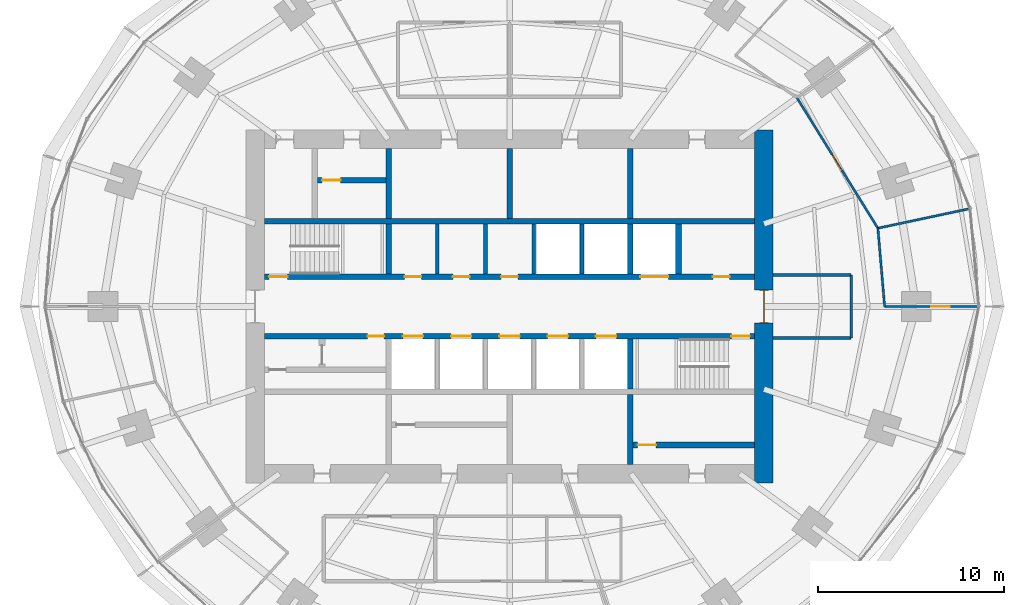
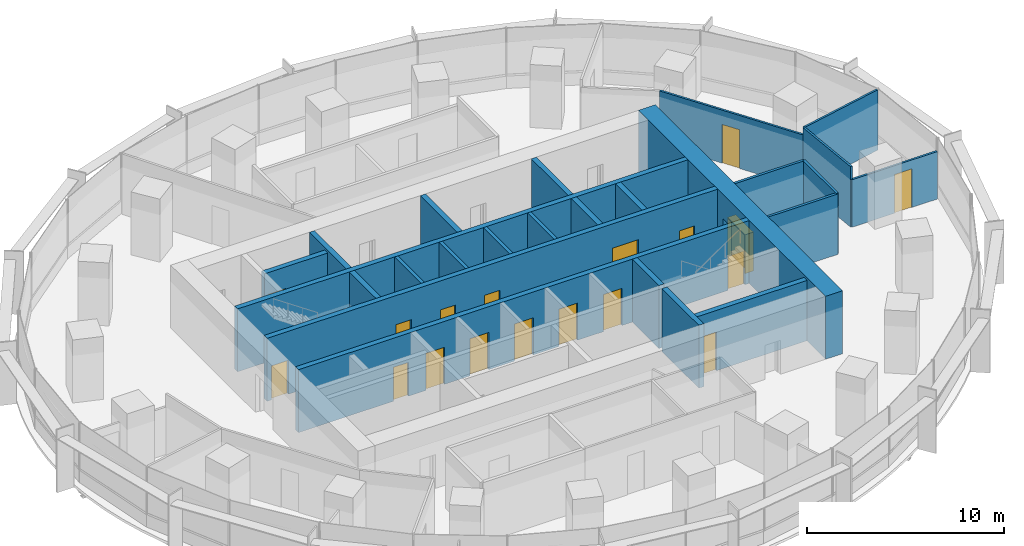
# One storey, part 11 of 14: 25 walls, 18 doors, 18 openings.
"""IFC4 building model written with IfcOpenShell, lengths in metres."""

from ifc_helpers import new_model, si_unit, direction, frame, frame_2d, origin, place, context, subcontext, project, spatial, rectangle, extrude, material, layer, layer_set, type_object, element, fill, save


model = new_model("IFC4")

# Units and contexts
model_context = context("Model", 3, precision=1e-05, world=origin(), true_north=direction((0.0, 1.0)))
body_context = subcontext(model_context, "Body", "Model", "MODEL_VIEW")
ifc_project = project(units=[si_unit("LENGTHUNIT", "METRE"), si_unit("AREAUNIT", "SQUARE_METRE"), si_unit("VOLUMEUNIT", "CUBIC_METRE"), si_unit("PLANEANGLEUNIT", "RADIAN"), si_unit("MASSUNIT", "GRAM", prefix="KILO")], contexts=[model_context])

# Site, building, storey
site_placement = place(None, origin())
site = spatial("IfcSite", under=ifc_project, at=site_placement, CompositionType="ELEMENT")
building_placement = place(site_placement, origin())
building = spatial("IfcBuilding", under=site, at=building_placement, Name="Marramba Exchange Tower", CompositionType="ELEMENT")
storey_placement = place(building_placement, frame((0.0, 0.0, 96.300048828125)))
storey = spatial("IfcBuildingStorey", under=building, at=storey_placement, Name="L22", CompositionType="ELEMENT", Elevation=96.300048828125)

# Walls
ifc_material_1 = material(Name="Concrete N50", Category="concrete")
ifc_layer_1 = layer(ifc_material_1, 0.199951171875)
ifc_layer_set_1 = layer_set([ifc_layer_1], Name="Core shaft wall 200")
wall_type_1 = type_object("IfcWallType", Name="Core shaft wall 200", PredefinedType="SHEAR", material=ifc_layer_set_1)
for number, where, z_axis, x_axis, name in (
    (1, (-3.89990234375, 1.75, 0.0), (0.0, 0.0, 1.0), (0.0, 1.0, 0.0), "Core wall SHN1 L22"),
    (2, (-1.300048828125, 1.75, 0.0), (0.0, 0.0, 1.0), (0.0, 1.0, 0.0), "Core wall SHN2 L22"),
    (3, (1.300048828125, 1.75, 0.0), (0.0, 0.0, 1.0), (0.0, 1.0, 0.0), "Core wall SHN3 L22"),
    (4, (3.89990234375, 1.75, 0.0), (0.0, 0.0, 1.0), (0.0, 1.0, 0.0), "Core wall SHN4 L22"),
):
    element("IfcWall", number, at=place(storey_placement, frame(where, z_axis=z_axis, x_axis=x_axis)), inside=storey, type_object=wall_type_1, Name=name, PredefinedType="SHEAR", context=body_context, shape_type="SweptSolid", body=[
        extrude(rectangle(XDim=2.699951171875, YDim=0.199951171875, at=frame_2d((1.35009765625, 0.0))), origin(), (0.0, 0.0, 1.0), 3.89990234375),
    ])

# Wall, opening, door
ifc_layer_2 = layer(ifc_material_1, 1.0)
ifc_layer_set_2 = layer_set([ifc_layer_2], Name="Core wall 1000")
wall_type_2 = type_object("IfcWallType", Name="Core wall 1000", PredefinedType="SHEAR", material=ifc_layer_set_2)
wall_1_placement = place(storey_placement, frame((13.699951171875, -9.5, 0.0), z_axis=(0.0, 0.0, 1.0), x_axis=(0.0, 1.0, 0.0)))
wall_1 = element("IfcWall", 5, at=wall_1_placement, inside=storey, type_object=wall_type_2, Name="Core wall E L22", PredefinedType="SHEAR", context=body_context, shape_type="SweptSolid", body=[
    extrude(rectangle(XDim=19.0, YDim=1.0, at=frame_2d((9.5, 0.0))), origin(), (0.0, 0.0, 1.0), 3.89990234375),
])
opening_1_placement = place(wall_1_placement, frame((8.60009765625, 0.0, 0.0)))
opening_1 = element("IfcOpeningElement", 6, at=opening_1_placement, cuts=wall_1, Name="Opening D1", PredefinedType="OPENING", context=body_context, shape_type="SweptSolid", body=[
    extrude(rectangle(XDim=1.800048828125, YDim=2.39990234375, at=frame_2d((0.89990234375, 1.199951171875))), frame((0.0, 0.510009765625, 0.0), z_axis=(0.0, -1.0, 0.0), x_axis=(1.0, 0.0, 0.0)), (0.0, 0.0, 1.0), 1.02001953125),
])
ifc_material_2 = material(Name="Steel-framed door", Category="steel")
door_type_1 = type_object("IfcDoorType", Name="Lobby exit door 1800x2400", OperationType="DOUBLE_DOOR_SINGLE_SWING", PredefinedType="DOOR", material=ifc_material_2)
door_1_placement = place(opening_1_placement, frame((1.800048828125, 0.0, 0.0), z_axis=(0.0, 0.0, 1.0), x_axis=(-1.0, 0.0, 0.0)))
door_1 = element("IfcDoor", 7, at=door_1_placement, inside=storey, type_object=door_type_1, Name="D1 lobby exit east L22", OperationType="DOUBLE_DOOR_SINGLE_SWING", OverallHeight=2.39990234375, OverallWidth=1.800048828125, PredefinedType="DOOR", context=body_context, shape_type="SweptSolid", body=[
    extrude(rectangle(XDim=1.719970703125, YDim=2.35986328125, at=frame_2d((0.900146484375, 1.179931640625))), frame((0.0, 0.025146484375, 0.0), z_axis=(0.0, -1.0, 0.0), x_axis=(1.0, 0.0, 0.0)), (0.0, 0.0, 1.0), 0.050048828125),
    extrude(rectangle(XDim=0.04, YDim=2.39990234375, at=frame_2d((1.780029296875, 1.199951171875))), frame((0.0, 0.25, 0.0), z_axis=(0.0, -1.0, 0.0), x_axis=(1.0, 0.0, 0.0)), (0.0, 0.0, 1.0), 0.5),
    extrude(rectangle(XDim=0.04, YDim=2.39990234375, at=frame_2d((0.02001953125, 1.199951171875))), frame((0.0, 0.25, 0.0), z_axis=(0.0, -1.0, 0.0), x_axis=(1.0, 0.0, 0.0)), (0.0, 0.0, 1.0), 0.5),
    extrude(rectangle(XDim=1.719970703125, YDim=0.04, at=frame_2d((0.900146484375, 2.3798828125))), frame((0.0, 0.25, 0.0), z_axis=(0.0, -1.0, 0.0), x_axis=(1.0, 0.0, 0.0)), (0.0, 0.0, 1.0), 0.5),
])
fill(opening_1, door_1)

# Wall, openings, doors
ifc_layer_3 = layer(ifc_material_1, 0.300048828125)
ifc_layer_set_3 = layer_set([ifc_layer_3], Name="Core wall 300")
wall_type_3 = type_object("IfcWallType", Name="Core wall 300", PredefinedType="SHEAR", material=ifc_layer_set_3)
wall_2_placement = place(storey_placement, frame((-13.199951171875, 1.60009765625, 0.0), z_axis=(0.0, 0.0, 1.0), x_axis=(1.0, 0.0, 0.0)))
wall_2 = element("IfcWall", 8, at=wall_2_placement, inside=storey, type_object=wall_type_3, Name="Core wall LN L22", PredefinedType="SHEAR", context=body_context, shape_type="SweptSolid", body=[
    extrude(rectangle(XDim=26.39990234375, YDim=0.300048828125, at=frame_2d((13.199951171875, 0.0))), origin(), (0.0, 0.0, 1.0), 3.89990234375),
])
opening_2_placement = place(wall_2_placement, frame((0.25, 0.0, 0.0)))
opening_2 = element("IfcOpeningElement", 9, at=opening_2_placement, cuts=wall_2, Name="Opening D2", PredefinedType="OPENING", context=body_context, shape_type="SweptSolid", body=[
    extrude(rectangle(XDim=1.0, YDim=2.10009765625, at=frame_2d((0.5, 1.050048828125))), frame((0.0, 0.159912109375, 0.0), z_axis=(0.0, -1.0, 0.0), x_axis=(1.0, 0.0, 0.0)), (0.0, 0.0, 1.0), 0.320068359375),
])
opening_3_placement = place(wall_2_placement, frame((20.25, 0.0, 0.0)))
opening_3 = element("IfcOpeningElement", 10, at=opening_3_placement, cuts=wall_2, Name="Opening LD3", PredefinedType="OPENING", context=body_context, shape_type="SweptSolid", body=[
    extrude(rectangle(XDim=1.5, YDim=2.39990234375, at=frame_2d((0.75, 1.199951171875))), frame((0.0, 0.159912109375, 0.0), z_axis=(0.0, -1.0, 0.0), x_axis=(1.0, 0.0, 0.0)), (0.0, 0.0, 1.0), 0.320068359375),
])
opening_4_placement = place(wall_2_placement, frame((7.550048828125, 0.0, 0.0)))
opening_4 = element("IfcOpeningElement", 11, at=opening_4_placement, cuts=wall_2, Name="Opening D5", PredefinedType="OPENING", context=body_context, shape_type="SweptSolid", body=[
    extrude(rectangle(XDim=0.89990234375, YDim=2.10009765625, at=frame_2d((0.449951171875, 1.050048828125))), frame((0.0, 0.159912109375, 0.0), z_axis=(0.0, -1.0, 0.0), x_axis=(1.0, 0.0, 0.0)), (0.0, 0.0, 1.0), 0.320068359375),
])
opening_5_placement = place(wall_2_placement, frame((10.14990234375, 0.0, 0.0)))
opening_5 = element("IfcOpeningElement", 12, at=opening_5_placement, cuts=wall_2, Name="Opening D5", PredefinedType="OPENING", context=body_context, shape_type="SweptSolid", body=[
    extrude(rectangle(XDim=0.89990234375, YDim=2.10009765625, at=frame_2d((0.449951171875, 1.050048828125))), frame((0.0, 0.159912109375, 0.0), z_axis=(0.0, -1.0, 0.0), x_axis=(1.0, 0.0, 0.0)), (0.0, 0.0, 1.0), 0.320068359375),
])
opening_6_placement = place(wall_2_placement, frame((12.75, 0.0, 0.0)))
opening_6 = element("IfcOpeningElement", 13, at=opening_6_placement, cuts=wall_2, Name="Opening D5", PredefinedType="OPENING", context=body_context, shape_type="SweptSolid", body=[
    extrude(rectangle(XDim=0.89990234375, YDim=2.10009765625, at=frame_2d((0.449951171875, 1.050048828125))), frame((0.0, 0.159912109375, 0.0), z_axis=(0.0, -1.0, 0.0), x_axis=(1.0, 0.0, 0.0)), (0.0, 0.0, 1.0), 0.320068359375),
])
opening_7_placement = place(wall_2_placement, frame((24.14990234375, 0.0, 0.0)))
opening_7 = element("IfcOpeningElement", 14, at=opening_7_placement, cuts=wall_2, Name="Opening D5", PredefinedType="OPENING", context=body_context, shape_type="SweptSolid", body=[
    extrude(rectangle(XDim=0.89990234375, YDim=2.10009765625, at=frame_2d((0.449951171875, 1.050048828125))), frame((0.0, 0.159912109375, 0.0), z_axis=(0.0, -1.0, 0.0), x_axis=(1.0, 0.0, 0.0)), (0.0, 0.0, 1.0), 0.320068359375),
])
door_type_2 = type_object("IfcDoorType", Name="Goods lift landing door 1500x2400", OperationType="SLIDING_TO_LEFT", PredefinedType="DOOR", material=ifc_material_2)
door_2_placement = place(opening_3_placement, origin())
door_2 = element("IfcDoor", 15, at=door_2_placement, inside=storey, type_object=door_type_2, Name="GL1 landing door L22", OperationType="SLIDING_TO_LEFT", OverallHeight=2.39990234375, OverallWidth=1.5, PredefinedType="DOOR", context=body_context, shape_type="SweptSolid", body=[
    extrude(rectangle(XDim=1.5, YDim=2.39990234375, at=frame_2d((0.75, 1.199951171875))), frame((0.0, 0.02490234375, 0.0), z_axis=(0.0, -1.0, 0.0), x_axis=(1.0, 0.0, 0.0)), (0.0, 0.0, 1.0), 0.050048828125),
])
fill(opening_3, door_2)
door_type_3 = type_object("IfcDoorType", Name="Service door 900x2100", OperationType="SINGLE_SWING_LEFT", PredefinedType="DOOR", material=ifc_material_2)
door_3_placement = place(opening_4_placement, origin())
door_3 = element("IfcDoor", 16, at=door_3_placement, inside=storey, type_object=door_type_3, Name="D5 print room L22", OperationType="SINGLE_SWING_RIGHT", OverallHeight=2.10009765625, OverallWidth=0.89990234375, PredefinedType="DOOR", context=body_context, shape_type="SweptSolid", body=[
    extrude(rectangle(XDim=0.89990234375, YDim=2.10009765625, at=frame_2d((0.449951171875, 1.050048828125))), frame((0.0, 0.02490234375, 0.0), z_axis=(0.0, -1.0, 0.0), x_axis=(1.0, 0.0, 0.0)), (0.0, 0.0, 1.0), 0.050048828125),
])
fill(opening_4, door_3)
door_4_placement = place(opening_5_placement, origin())
door_4 = element("IfcDoor", 17, at=door_4_placement, inside=storey, type_object=door_type_3, Name="D5 stationery store L22", OperationType="SINGLE_SWING_RIGHT", OverallHeight=2.10009765625, OverallWidth=0.89990234375, PredefinedType="DOOR", context=body_context, shape_type="SweptSolid", body=[
    extrude(rectangle(XDim=0.89990234375, YDim=2.10009765625, at=frame_2d((0.449951171875, 1.050048828125))), frame((0.0, 0.02490234375, 0.0), z_axis=(0.0, -1.0, 0.0), x_axis=(1.0, 0.0, 0.0)), (0.0, 0.0, 1.0), 0.050048828125),
])
fill(opening_5, door_4)
door_5_placement = place(opening_6_placement, origin())
door_5 = element("IfcDoor", 18, at=door_5_placement, inside=storey, type_object=door_type_3, Name="D5 switch room L22", OperationType="SINGLE_SWING_RIGHT", OverallHeight=2.10009765625, OverallWidth=0.89990234375, PredefinedType="DOOR", context=body_context, shape_type="SweptSolid", body=[
    extrude(rectangle(XDim=0.89990234375, YDim=2.10009765625, at=frame_2d((0.449951171875, 1.050048828125))), frame((0.0, 0.02490234375, 0.0), z_axis=(0.0, -1.0, 0.0), x_axis=(1.0, 0.0, 0.0)), (0.0, 0.0, 1.0), 0.050048828125),
])
fill(opening_6, door_5)
door_6_placement = place(opening_7_placement, origin())
door_6 = element("IfcDoor", 19, at=door_6_placement, inside=storey, type_object=door_type_3, Name="D5 riser L22", OperationType="SINGLE_SWING_RIGHT", OverallHeight=2.10009765625, OverallWidth=0.89990234375, PredefinedType="DOOR", context=body_context, shape_type="SweptSolid", body=[
    extrude(rectangle(XDim=0.89990234375, YDim=2.10009765625, at=frame_2d((0.449951171875, 1.050048828125))), frame((0.0, 0.02490234375, 0.0), z_axis=(0.0, -1.0, 0.0), x_axis=(1.0, 0.0, 0.0)), (0.0, 0.0, 1.0), 0.050048828125),
])
fill(opening_7, door_6)
door_type_4 = type_object("IfcDoorType", Name="Stair door 1000x2100", OperationType="SINGLE_SWING_LEFT", PredefinedType="DOOR", material=ifc_material_2)
door_7_placement = place(opening_2_placement, origin())
door_7 = element("IfcDoor", 20, at=door_7_placement, inside=storey, type_object=door_type_4, Name="D2 stair ST1 L22", OperationType="SINGLE_SWING_LEFT", OverallHeight=2.10009765625, OverallWidth=1.0, PredefinedType="DOOR", context=body_context, shape_type="SweptSolid", body=[
    extrude(rectangle(XDim=1.0, YDim=2.10009765625, at=frame_2d((0.5, 1.050048828125))), frame((0.0, 0.02490234375, 0.0), z_axis=(0.0, -1.0, 0.0), x_axis=(1.0, 0.0, 0.0)), (0.0, 0.0, 1.0), 0.050048828125),
])
fill(opening_2, door_7)

wall_3_placement = place(storey_placement, frame((-13.199951171875, -1.60009765625, 0.0), z_axis=(0.0, 0.0, 1.0), x_axis=(1.0, 0.0, 0.0)))
wall_3 = element("IfcWall", 21, at=wall_3_placement, inside=storey, type_object=wall_type_3, Name="Core wall LS L22", PredefinedType="SHEAR", context=body_context, shape_type="SweptSolid", body=[
    extrude(rectangle(XDim=26.39990234375, YDim=0.300048828125, at=frame_2d((13.199951171875, 0.0))), origin(), (0.0, 0.0, 1.0), 3.89990234375),
])
opening_8_placement = place(wall_3_placement, frame((25.14990234375, 0.0, 0.0)))
opening_8 = element("IfcOpeningElement", 22, at=opening_8_placement, cuts=wall_3, Name="Opening D2", PredefinedType="OPENING", context=body_context, shape_type="SweptSolid", body=[
    extrude(rectangle(XDim=1.0, YDim=2.10009765625, at=frame_2d((0.5, 1.050048828125))), frame((0.0, 0.159912109375, 0.0), z_axis=(0.0, -1.0, 0.0), x_axis=(1.0, 0.0, 0.0)), (0.0, 0.0, 1.0), 0.320068359375),
])
opening_9_placement = place(wall_3_placement, frame((7.449951171875, 0.0, 0.0)))
opening_9 = element("IfcOpeningElement", 23, at=opening_9_placement, cuts=wall_3, Name="Opening LD1", PredefinedType="OPENING", context=body_context, shape_type="SweptSolid", body=[
    extrude(rectangle(XDim=1.10009765625, YDim=2.300048828125, at=frame_2d((0.550048828125, 1.14990234375))), frame((0.0, 0.159912109375, 0.0), z_axis=(0.0, -1.0, 0.0), x_axis=(1.0, 0.0, 0.0)), (0.0, 0.0, 1.0), 0.320068359375),
])
opening_10_placement = place(wall_3_placement, frame((10.050048828125, 0.0, 0.0)))
opening_10 = element("IfcOpeningElement", 24, at=opening_10_placement, cuts=wall_3, Name="Opening LD1", PredefinedType="OPENING", context=body_context, shape_type="SweptSolid", body=[
    extrude(rectangle(XDim=1.10009765625, YDim=2.300048828125, at=frame_2d((0.550048828125, 1.14990234375))), frame((0.0, 0.159912109375, 0.0), z_axis=(0.0, -1.0, 0.0), x_axis=(1.0, 0.0, 0.0)), (0.0, 0.0, 1.0), 0.320068359375),
])
opening_11_placement = place(wall_3_placement, frame((12.64990234375, 0.0, 0.0)))
opening_11 = element("IfcOpeningElement", 25, at=opening_11_placement, cuts=wall_3, Name="Opening LD1", PredefinedType="OPENING", context=body_context, shape_type="SweptSolid", body=[
    extrude(rectangle(XDim=1.10009765625, YDim=2.300048828125, at=frame_2d((0.550048828125, 1.14990234375))), frame((0.0, 0.159912109375, 0.0), z_axis=(0.0, -1.0, 0.0), x_axis=(1.0, 0.0, 0.0)), (0.0, 0.0, 1.0), 0.320068359375),
])
opening_12_placement = place(wall_3_placement, frame((15.25, 0.0, 0.0)))
opening_12 = element("IfcOpeningElement", 26, at=opening_12_placement, cuts=wall_3, Name="Opening LD2", PredefinedType="OPENING", context=body_context, shape_type="SweptSolid", body=[
    extrude(rectangle(XDim=1.10009765625, YDim=2.300048828125, at=frame_2d((0.550048828125, 1.14990234375))), frame((0.0, 0.159912109375, 0.0), z_axis=(0.0, -1.0, 0.0), x_axis=(1.0, 0.0, 0.0)), (0.0, 0.0, 1.0), 0.320068359375),
])
opening_13_placement = place(wall_3_placement, frame((17.85009765625, 0.0, 0.0)))
opening_13 = element("IfcOpeningElement", 27, at=opening_13_placement, cuts=wall_3, Name="Opening LD2", PredefinedType="OPENING", context=body_context, shape_type="SweptSolid", body=[
    extrude(rectangle(XDim=1.10009765625, YDim=2.300048828125, at=frame_2d((0.550048828125, 1.14990234375))), frame((0.0, 0.159912109375, 0.0), z_axis=(0.0, -1.0, 0.0), x_axis=(1.0, 0.0, 0.0)), (0.0, 0.0, 1.0), 0.320068359375),
])
opening_14_placement = place(wall_3_placement, frame((5.550048828125, 0.0, 0.0)))
opening_14 = element("IfcOpeningElement", 28, at=opening_14_placement, cuts=wall_3, Name="Opening D5", PredefinedType="OPENING", context=body_context, shape_type="SweptSolid", body=[
    extrude(rectangle(XDim=0.89990234375, YDim=2.10009765625, at=frame_2d((0.449951171875, 1.050048828125))), frame((0.0, 0.159912109375, 0.0), z_axis=(0.0, -1.0, 0.0), x_axis=(1.0, 0.0, 0.0)), (0.0, 0.0, 1.0), 0.320068359375),
])
door_type_5 = type_object("IfcDoorType", Name="Emergency lift landing door 1100x2300", OperationType="SLIDING_TO_LEFT", PredefinedType="DOOR", material=ifc_material_2)
door_8_placement = place(opening_12_placement, frame((1.10009765625, 0.0, 0.0), z_axis=(0.0, 0.0, 1.0), x_axis=(-1.0, 0.0, 0.0)))
door_8 = element("IfcDoor", 29, at=door_8_placement, inside=storey, type_object=door_type_5, Name="FL1 landing door L22", OperationType="SLIDING_TO_RIGHT", OverallHeight=2.300048828125, OverallWidth=1.10009765625, PredefinedType="DOOR", context=body_context, shape_type="SweptSolid", body=[
    extrude(rectangle(XDim=1.10009765625, YDim=2.300048828125, at=frame_2d((0.550048828125, 1.14990234375))), frame((0.0, 0.025146484375, 0.0), z_axis=(0.0, -1.0, 0.0), x_axis=(1.0, 0.0, 0.0)), (0.0, 0.0, 1.0), 0.050048828125),
])
fill(opening_12, door_8)
door_9_placement = place(opening_13_placement, frame((1.10009765625, 0.0, 0.0), z_axis=(0.0, 0.0, 1.0), x_axis=(-1.0, 0.0, 0.0)))
door_9 = element("IfcDoor", 30, at=door_9_placement, inside=storey, type_object=door_type_5, Name="FL2 landing door L22", OperationType="SLIDING_TO_LEFT", OverallHeight=2.300048828125, OverallWidth=1.10009765625, PredefinedType="DOOR", context=body_context, shape_type="SweptSolid", body=[
    extrude(rectangle(XDim=1.10009765625, YDim=2.300048828125, at=frame_2d((0.550048828125, 1.14990234375))), frame((0.0, 0.025146484375, 0.0), z_axis=(0.0, -1.0, 0.0), x_axis=(1.0, 0.0, 0.0)), (0.0, 0.0, 1.0), 0.050048828125),
])
fill(opening_13, door_9)
door_type_6 = type_object("IfcDoorType", Name="Lift landing door 1100x2300", OperationType="SLIDING_TO_LEFT", PredefinedType="DOOR", material=ifc_material_2)
door_10_placement = place(opening_9_placement, frame((1.10009765625, 0.0, 0.0), z_axis=(0.0, 0.0, 1.0), x_axis=(-1.0, 0.0, 0.0)))
door_10 = element("IfcDoor", 31, at=door_10_placement, inside=storey, type_object=door_type_6, Name="LB1 landing door L22", OperationType="SLIDING_TO_LEFT", OverallHeight=2.300048828125, OverallWidth=1.10009765625, PredefinedType="DOOR", context=body_context, shape_type="SweptSolid", body=[
    extrude(rectangle(XDim=1.10009765625, YDim=2.300048828125, at=frame_2d((0.550048828125, 1.14990234375))), frame((0.0, 0.025146484375, 0.0), z_axis=(0.0, -1.0, 0.0), x_axis=(1.0, 0.0, 0.0)), (0.0, 0.0, 1.0), 0.050048828125),
])
fill(opening_9, door_10)
door_11_placement = place(opening_10_placement, frame((1.10009765625, 0.0, 0.0), z_axis=(0.0, 0.0, 1.0), x_axis=(-1.0, 0.0, 0.0)))
door_11 = element("IfcDoor", 32, at=door_11_placement, inside=storey, type_object=door_type_6, Name="LB2 landing door L22", OperationType="SLIDING_TO_RIGHT", OverallHeight=2.300048828125, OverallWidth=1.10009765625, PredefinedType="DOOR", context=body_context, shape_type="SweptSolid", body=[
    extrude(rectangle(XDim=1.10009765625, YDim=2.300048828125, at=frame_2d((0.550048828125, 1.14990234375))), frame((0.0, 0.025146484375, 0.0), z_axis=(0.0, -1.0, 0.0), x_axis=(1.0, 0.0, 0.0)), (0.0, 0.0, 1.0), 0.050048828125),
])
fill(opening_10, door_11)
door_12_placement = place(opening_11_placement, frame((1.10009765625, 0.0, 0.0), z_axis=(0.0, 0.0, 1.0), x_axis=(-1.0, 0.0, 0.0)))
door_12 = element("IfcDoor", 33, at=door_12_placement, inside=storey, type_object=door_type_6, Name="LB3 landing door L22", OperationType="SLIDING_TO_RIGHT", OverallHeight=2.300048828125, OverallWidth=1.10009765625, PredefinedType="DOOR", context=body_context, shape_type="SweptSolid", body=[
    extrude(rectangle(XDim=1.10009765625, YDim=2.300048828125, at=frame_2d((0.550048828125, 1.14990234375))), frame((0.0, 0.025146484375, 0.0), z_axis=(0.0, -1.0, 0.0), x_axis=(1.0, 0.0, 0.0)), (0.0, 0.0, 1.0), 0.050048828125),
])
fill(opening_11, door_12)
door_13_placement = place(opening_14_placement, frame((0.89990234375, 0.0, 0.0), z_axis=(0.0, 0.0, 1.0), x_axis=(-1.0, 0.0, 0.0)))
door_13 = element("IfcDoor", 34, at=door_13_placement, inside=storey, type_object=door_type_3, Name="D5 electrical riser L22", OperationType="SINGLE_SWING_LEFT", OverallHeight=2.10009765625, OverallWidth=0.89990234375, PredefinedType="DOOR", context=body_context, shape_type="SweptSolid", body=[
    extrude(rectangle(XDim=0.89990234375, YDim=2.10009765625, at=frame_2d((0.449951171875, 1.050048828125))), frame((0.0, 0.025146484375, 0.0), z_axis=(0.0, -1.0, 0.0), x_axis=(1.0, 0.0, 0.0)), (0.0, 0.0, 1.0), 0.050048828125),
])
fill(opening_14, door_13)
door_14_placement = place(opening_8_placement, frame((1.0, 0.0, 0.0), z_axis=(0.0, 0.0, 1.0), x_axis=(-1.0, 0.0, 0.0)))
door_14 = element("IfcDoor", 35, at=door_14_placement, inside=storey, type_object=door_type_4, Name="D2 stair ST2 L22", OperationType="SINGLE_SWING_LEFT", OverallHeight=2.10009765625, OverallWidth=1.0, PredefinedType="DOOR", context=body_context, shape_type="SweptSolid", body=[
    extrude(rectangle(XDim=1.0, YDim=2.10009765625, at=frame_2d((0.5, 1.050048828125))), frame((0.0, 0.025146484375, 0.0), z_axis=(0.0, -1.0, 0.0), x_axis=(1.0, 0.0, 0.0)), (0.0, 0.0, 1.0), 0.050048828125),
])
fill(opening_8, door_14)

# Walls
wall_4_placement = place(storey_placement, frame((-13.199951171875, 4.60009765625, 0.0), z_axis=(0.0, 0.0, 1.0), x_axis=(1.0, 0.0, 0.0)))
element("IfcWall", 36, at=wall_4_placement, inside=storey, type_object=wall_type_3, Name="Core wall BN L22", PredefinedType="SHEAR", context=body_context, shape_type="SweptSolid", body=[
    extrude(rectangle(XDim=26.39990234375, YDim=0.300048828125, at=frame_2d((13.199951171875, 0.0))), origin(), (0.0, 0.0, 1.0), 3.89990234375),
])
wall_5_placement = place(storey_placement, frame((-6.5, 1.75, 0.0), z_axis=(0.0, 0.0, 1.0), x_axis=(0.0, 1.0, 0.0)))
element("IfcWall", 37, at=wall_5_placement, inside=storey, type_object=wall_type_3, Name="Core wall X0Na L22", PredefinedType="SHEAR", context=body_context, shape_type="SweptSolid", body=[
    extrude(rectangle(XDim=2.699951171875, YDim=0.300048828125, at=frame_2d((1.35009765625, 0.0))), origin(), (0.0, 0.0, 1.0), 3.89990234375),
])
wall_6_placement = place(storey_placement, frame((-6.5, 4.75, 0.0), z_axis=(0.0, 0.0, 1.0), x_axis=(0.0, 1.0, 0.0)))
element("IfcWall", 38, at=wall_6_placement, inside=storey, type_object=wall_type_3, Name="Core wall X0Nb L22", PredefinedType="SHEAR", context=body_context, shape_type="SweptSolid", body=[
    extrude(rectangle(XDim=3.75, YDim=0.300048828125, at=frame_2d((1.875, 0.0))), origin(), (0.0, 0.0, 1.0), 3.89990234375),
])
wall_7_placement = place(storey_placement, frame((6.5, 1.75, 0.0), z_axis=(0.0, 0.0, 1.0), x_axis=(0.0, 1.0, 0.0)))
element("IfcWall", 39, at=wall_7_placement, inside=storey, type_object=wall_type_3, Name="Core wall X1Na L22", PredefinedType="SHEAR", context=body_context, shape_type="SweptSolid", body=[
    extrude(rectangle(XDim=2.699951171875, YDim=0.300048828125, at=frame_2d((1.35009765625, 0.0))), origin(), (0.0, 0.0, 1.0), 3.89990234375),
])
for number, where, z_axis, x_axis, name in (
    (40, (6.5, 4.75, 0.0), (0.0, 0.0, 1.0), (0.0, 1.0, 0.0), "Core wall X1Nb L22"),
    (41, (0.0, 4.75, 0.0), (0.0, 0.0, 1.0), (0.0, 1.0, 0.0), "Core wall MN L22"),
):
    element("IfcWall", number, at=place(storey_placement, frame(where, z_axis=z_axis, x_axis=x_axis)), inside=storey, type_object=wall_type_3, Name=name, PredefinedType="SHEAR", context=body_context, shape_type="SweptSolid", body=[
        extrude(rectangle(XDim=3.75, YDim=0.300048828125, at=frame_2d((1.875, 0.0))), origin(), (0.0, 0.0, 1.0), 3.89990234375),
    ])
wall_8_placement = place(storey_placement, frame((6.5, -1.75, 0.0), z_axis=(0.0, 0.0, 1.0), x_axis=(0.0, -1.0, 0.0)))
element("IfcWall", 42, at=wall_8_placement, inside=storey, type_object=wall_type_3, Name="Core wall X1Sa L22", PredefinedType="SHEAR", context=body_context, shape_type="SweptSolid", body=[
    extrude(rectangle(XDim=2.699951171875, YDim=0.300048828125, at=frame_2d((1.35009765625, 0.0))), origin(), (0.0, 0.0, 1.0), 3.89990234375),
])
wall_9_placement = place(storey_placement, frame((6.5, -4.75, 0.0), z_axis=(0.0, 0.0, 1.0), x_axis=(0.0, -1.0, 0.0)))
element("IfcWall", 43, at=wall_9_placement, inside=storey, type_object=wall_type_3, Name="Core wall X1Sb L22", PredefinedType="SHEAR", context=body_context, shape_type="SweptSolid", body=[
    extrude(rectangle(XDim=3.75, YDim=0.300048828125, at=frame_2d((1.875, 0.0))), origin(), (0.0, 0.0, 1.0), 3.89990234375),
])
wall_10_placement = place(storey_placement, frame((9.10009765625, 1.75, 0.0), z_axis=(0.0, 0.0, 1.0), x_axis=(0.0, 1.0, 0.0)))
element("IfcWall", 44, at=wall_10_placement, inside=storey, type_object=wall_type_3, Name="Core wall ED L22", PredefinedType="SHEAR", context=body_context, shape_type="SweptSolid", body=[
    extrude(rectangle(XDim=2.699951171875, YDim=0.300048828125, at=frame_2d((1.35009765625, 0.0))), origin(), (0.0, 0.0, 1.0), 3.89990234375),
])

# Wall, opening, door
ifc_material_3 = material(Name="Plasterboard on steel studs", Category="steel")
ifc_layer_4 = layer(ifc_material_3, 0.1201171875)
ifc_layer_set_4 = layer_set([ifc_layer_4], Name="Partition 120")
wall_type_4 = type_object("IfcWallType", Name="Partition 120", PredefinedType="PARTITIONING", material=ifc_layer_set_4)
wall_11_placement = place(storey_placement, frame((20.201904296875, 0.0, 0.0), z_axis=(0.0, 0.0, 1.0), x_axis=(1.0, 0.0, 0.0)))
wall_11 = element("IfcWall", 45, at=wall_11_placement, inside=storey, type_object=wall_type_4, Name="Partition L22 19", PredefinedType="PARTITIONING", context=body_context, shape_type="SweptSolid", body=[
    extrude(rectangle(XDim=5.0, YDim=0.1201171875, at=frame_2d((2.5, 0.0))), origin(), (0.0, 0.0, 1.0), 2.93994140625),
])
opening_15_placement = place(wall_11_placement, frame((2.5, 0.0, 0.0)))
opening_15 = element("IfcOpeningElement", 46, at=opening_15_placement, cuts=wall_11, Name="Opening D9", PredefinedType="OPENING", context=body_context, shape_type="SweptSolid", body=[
    extrude(rectangle(XDim=1.0, YDim=2.39990234375, at=frame_2d((0.5, 1.199951171875))), frame((0.0, 0.070068359375, 0.0), z_axis=(0.0, -1.0, 0.0), x_axis=(1.0, 0.0, 0.0)), (0.0, 0.0, 1.0), 0.14013671875),
])
ifc_material_4 = material(Name="Timber door", Category="wood")
door_type_7 = type_object("IfcDoorType", Name="Room door 1000x2400", OperationType="SINGLE_SWING_LEFT", PredefinedType="DOOR", material=ifc_material_4)
door_15_placement = place(opening_15_placement, origin())
door_15 = element("IfcDoor", 47, at=door_15_placement, inside=storey, type_object=door_type_7, Name="D9 Compliance Office 2 L22", OperationType="SINGLE_SWING_RIGHT", OverallHeight=2.39990234375, OverallWidth=1.0, PredefinedType="DOOR", context=body_context, shape_type="SweptSolid", body=[
    extrude(rectangle(XDim=1.0, YDim=2.39990234375, at=frame_2d((0.5, 1.199951171875))), frame((0.0, 0.02490234375, 0.0), z_axis=(0.0, -1.0, 0.0), x_axis=(1.0, 0.0, 0.0)), (0.0, 0.0, 1.0), 0.050048828125),
])
fill(opening_15, door_15)

# Walls
wall_12_placement = place(storey_placement, frame((19.839599609375, 4.217041015625, 0.0), z_axis=(0.0, 0.0, 1.0), x_axis=(0.085599097882, -0.996329661529, 0.0)))
element("IfcWall", 48, at=wall_12_placement, inside=storey, type_object=wall_type_4, Name="Partition L22 21", PredefinedType="PARTITIONING", context=body_context, shape_type="SweptSolid", body=[
    extrude(rectangle(XDim=4.232666015625, YDim=0.1201171875, at=frame_2d((2.1162109375, 0.0))), origin(), (0.0, 0.0, 1.0), 3.739990234375),
])
wall_13_placement = place(storey_placement, frame((19.839599609375, 4.217041015625, 0.0), z_axis=(0.0, 0.0, 1.0), x_axis=(0.978149046495, 0.207904888932, 0.0)))
element("IfcWall", 49, at=wall_13_placement, inside=storey, type_object=wall_type_4, Name="Partition L22 22", PredefinedType="PARTITIONING", context=body_context, shape_type="SweptSolid", body=[
    extrude(rectangle(XDim=5.000244140625, YDim=0.1201171875, at=frame_2d((2.5, 0.0))), origin(), (0.0, 0.0, 1.0), 3.739990234375),
])

# Wall, opening, door
wall_14_placement = place(storey_placement, frame((15.4765625, 11.244384765625, 0.0), z_axis=(0.0, 0.0, 1.0), x_axis=(0.527470861315, -0.849573122494, 0.0)))
wall_14 = element("IfcWall", 50, at=wall_14_placement, inside=storey, type_object=wall_type_4, Name="Partition L22 23", PredefinedType="PARTITIONING", context=body_context, shape_type="SweptSolid", body=[
    extrude(rectangle(XDim=8.271728515625, YDim=0.1201171875, at=frame_2d((4.1357421875, 0.0))), origin(), (0.0, 0.0, 1.0), 3.285888671875),
])
opening_16_placement = place(wall_14_placement, frame((3.611083984375, 0.0, 0.0)))
opening_16 = element("IfcOpeningElement", 51, at=opening_16_placement, cuts=wall_14, Name="Opening D9", PredefinedType="OPENING", context=body_context, shape_type="SweptSolid", body=[
    extrude(rectangle(XDim=1.0, YDim=2.39990234375, at=frame_2d((0.5, 1.199951171875))), frame((0.0, 0.070068359375, 0.0), z_axis=(0.0, -1.0, 0.0), x_axis=(1.0, 0.0, 0.0)), (0.0, 0.0, 1.0), 0.14013671875),
])
door_16_placement = place(opening_16_placement, origin())
door_16 = element("IfcDoor", 52, at=door_16_placement, inside=storey, type_object=door_type_7, Name="D9 Compliance Office 3 L22", OperationType="SINGLE_SWING_LEFT", OverallHeight=2.39990234375, OverallWidth=1.0, PredefinedType="DOOR", context=body_context, shape_type="SweptSolid", body=[
    extrude(rectangle(XDim=1.0, YDim=2.39990234375, at=frame_2d((0.5, 1.199951171875))), frame((0.0, 0.02490234375, 0.0), z_axis=(0.0, -1.0, 0.0), x_axis=(1.0, 0.0, 0.0)), (0.0, 0.0, 1.0), 0.050048828125),
])
fill(opening_16, door_16)

ifc_material_5 = material(Name="Plasterboard on steel studs, insulated, unrated", Category="steel")
ifc_layer_5 = layer(ifc_material_5, 0.300048828125)
ifc_layer_set_5 = layer_set([ifc_layer_5], Name="Store partition 300")
wall_type_5 = type_object("IfcWallType", Name="Store partition 300", PredefinedType="PARTITIONING", material=ifc_layer_set_5)
wall_15_placement = place(storey_placement, frame((-10.35009765625, 6.800048828125, 0.0), z_axis=(0.0, 0.0, 1.0), x_axis=(1.0, 0.0, 0.0)))
wall_15 = element("IfcWall", 53, at=wall_15_placement, inside=storey, type_object=wall_type_5, Name="Store partition L22 cleaner", PredefinedType="PARTITIONING", context=body_context, shape_type="SweptSolid", body=[
    extrude(rectangle(XDim=3.7001953125, YDim=0.300048828125, at=frame_2d((1.85009765625, 0.0))), origin(), (0.0, 0.0, 1.0), 3.739990234375),
])
opening_17_placement = place(wall_15_placement, frame((0.25, 0.0, 0.0)))
opening_17 = element("IfcOpeningElement", 54, at=opening_17_placement, cuts=wall_15, Name="Opening D9", PredefinedType="OPENING", context=body_context, shape_type="SweptSolid", body=[
    extrude(rectangle(XDim=1.0, YDim=2.39990234375, at=frame_2d((0.5, 1.199951171875))), frame((0.0, 0.159912109375, 0.0), z_axis=(0.0, -1.0, 0.0), x_axis=(1.0, 0.0, 0.0)), (0.0, 0.0, 1.0), 0.320068359375),
])
door_17_placement = place(opening_17_placement, origin())
door_17 = element("IfcDoor", 55, at=door_17_placement, inside=storey, type_object=door_type_7, Name="D9 cleaning store L22", OperationType="SINGLE_SWING_LEFT", OverallHeight=2.39990234375, OverallWidth=1.0, PredefinedType="DOOR", context=body_context, shape_type="SweptSolid", body=[
    extrude(rectangle(XDim=1.0, YDim=2.39990234375, at=frame_2d((0.5, 1.199951171875))), frame((0.0, 0.02490234375, 0.0), z_axis=(0.0, -1.0, 0.0), x_axis=(1.0, 0.0, 0.0)), (0.0, 0.0, 1.0), 0.050048828125),
])
fill(opening_17, door_17)

wall_16_placement = place(storey_placement, frame((6.64990234375, -7.4599609375, 0.0), z_axis=(0.0, 0.0, 1.0), x_axis=(1.0, 0.0, 0.0)))
wall_16 = element("IfcWall", 56, at=wall_16_placement, inside=storey, type_object=wall_type_5, Name="Store partition L22 cstore", PredefinedType="PARTITIONING", context=body_context, shape_type="SweptSolid", body=[
    extrude(rectangle(XDim=6.550048828125, YDim=0.300048828125, at=frame_2d((3.27490234375, 0.0))), origin(), (0.0, 0.0, 1.0), 3.739990234375),
])
opening_18_placement = place(wall_16_placement, frame((0.25, 0.0, 0.0)))
opening_18 = element("IfcOpeningElement", 57, at=opening_18_placement, cuts=wall_16, Name="Opening D9", PredefinedType="OPENING", context=body_context, shape_type="SweptSolid", body=[
    extrude(rectangle(XDim=1.0, YDim=2.39990234375, at=frame_2d((0.5, 1.199951171875))), frame((0.0, 0.159912109375, 0.0), z_axis=(0.0, -1.0, 0.0), x_axis=(1.0, 0.0, 0.0)), (0.0, 0.0, 1.0), 0.320068359375),
])
door_18_placement = place(opening_18_placement, frame((1.0, 0.0, 0.0), z_axis=(0.0, 0.0, 1.0), x_axis=(-1.0, 0.0, 0.0)))
door_18 = element("IfcDoor", 58, at=door_18_placement, inside=storey, type_object=door_type_7, Name="D9 general store L22", OperationType="SINGLE_SWING_RIGHT", OverallHeight=2.39990234375, OverallWidth=1.0, PredefinedType="DOOR", context=body_context, shape_type="SweptSolid", body=[
    extrude(rectangle(XDim=1.0, YDim=2.39990234375, at=frame_2d((0.5, 1.199951171875))), frame((0.0, 0.025146484375, 0.0), z_axis=(0.0, -1.0, 0.0), x_axis=(1.0, 0.0, 0.0)), (0.0, 0.0, 1.0), 0.050048828125),
])
fill(opening_18, door_18)

# Walls
ifc_material_6 = material(Name="Fire-rated plasterboard on steel studs, acoustic insulation", Category="steel")
ifc_layer_6 = layer(ifc_material_6, 0.14990234375)
ifc_layer_set_6 = layer_set([ifc_layer_6], Name="Tenancy wall 150")
wall_type_6 = type_object("IfcWallType", Name="Tenancy wall 150", PredefinedType="PARTITIONING", material=ifc_layer_set_6)
wall_17_placement = place(storey_placement, frame((14.199951171875, -1.699951171875, 0.0), z_axis=(0.0, 0.0, 1.0), x_axis=(1.0, 0.0, 0.0)))
element("IfcWall", 59, at=wall_17_placement, inside=storey, type_object=wall_type_6, Name="Tenancy wall L22 17", PredefinedType="PARTITIONING", context=body_context, shape_type="SweptSolid", body=[
    extrude(rectangle(XDim=4.199951171875, YDim=0.14990234375, at=frame_2d((2.10009765625, 0.0))), origin(), (0.0, 0.0, 1.0), 3.739990234375),
])
wall_18_placement = place(storey_placement, frame((18.39990234375, -1.699951171875, 0.0), z_axis=(0.0, 0.0, 1.0), x_axis=(0.0, 1.0, 0.0)))
element("IfcWall", 60, at=wall_18_placement, inside=storey, type_object=wall_type_6, Name="Tenancy wall L22 18", PredefinedType="PARTITIONING", context=body_context, shape_type="SweptSolid", body=[
    extrude(rectangle(XDim=3.39990234375, YDim=0.14990234375, at=frame_2d((1.699951171875, 0.0))), origin(), (0.0, 0.0, 1.0), 3.739990234375),
])
wall_19_placement = place(storey_placement, frame((18.39990234375, 1.699951171875, 0.0), z_axis=(0.0, 0.0, 1.0), x_axis=(-1.0, 0.0, 0.0)))
element("IfcWall", 61, at=wall_19_placement, inside=storey, type_object=wall_type_6, Name="Tenancy wall L22 20", PredefinedType="PARTITIONING", context=body_context, shape_type="SweptSolid", body=[
    extrude(rectangle(XDim=4.199951171875, YDim=0.14990234375, at=frame_2d((2.10009765625, 0.0))), origin(), (0.0, 0.0, 1.0), 3.739990234375),
])

save(model, "model.ifc")
